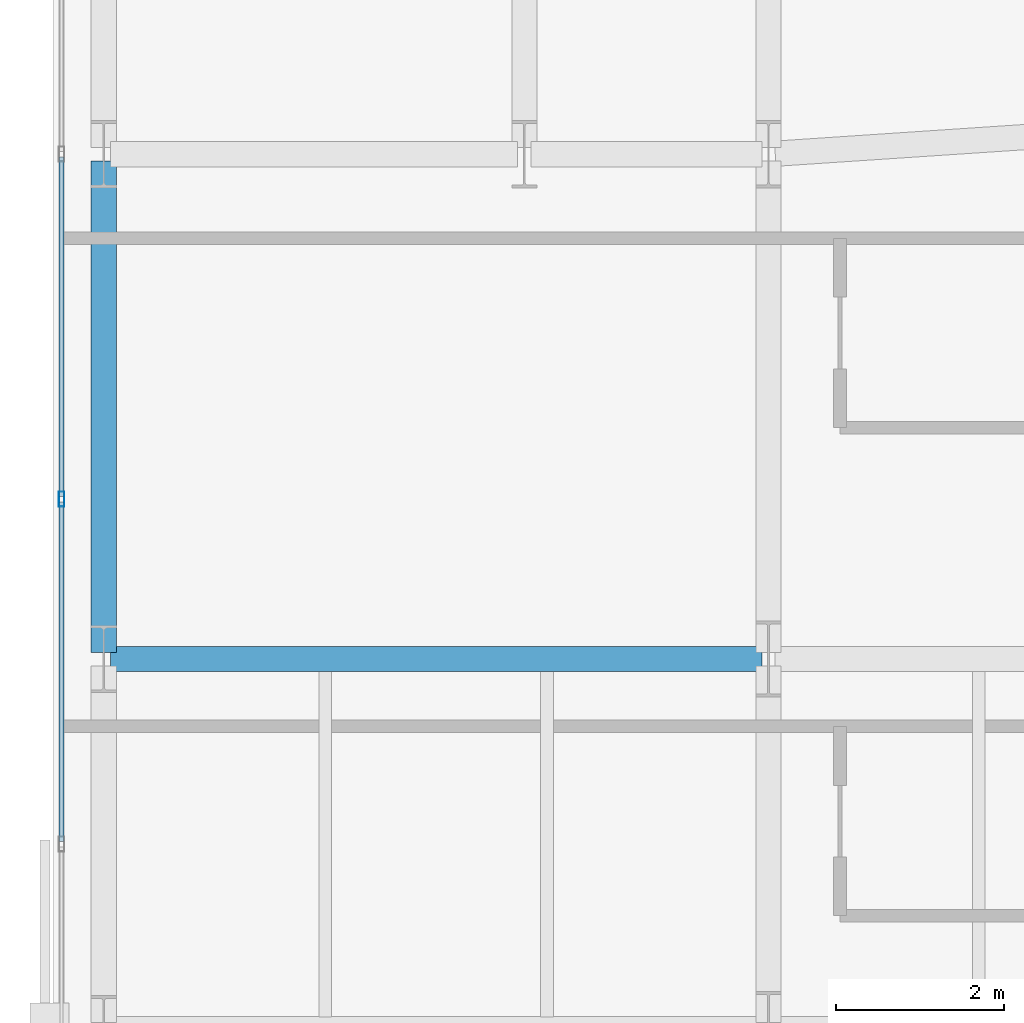
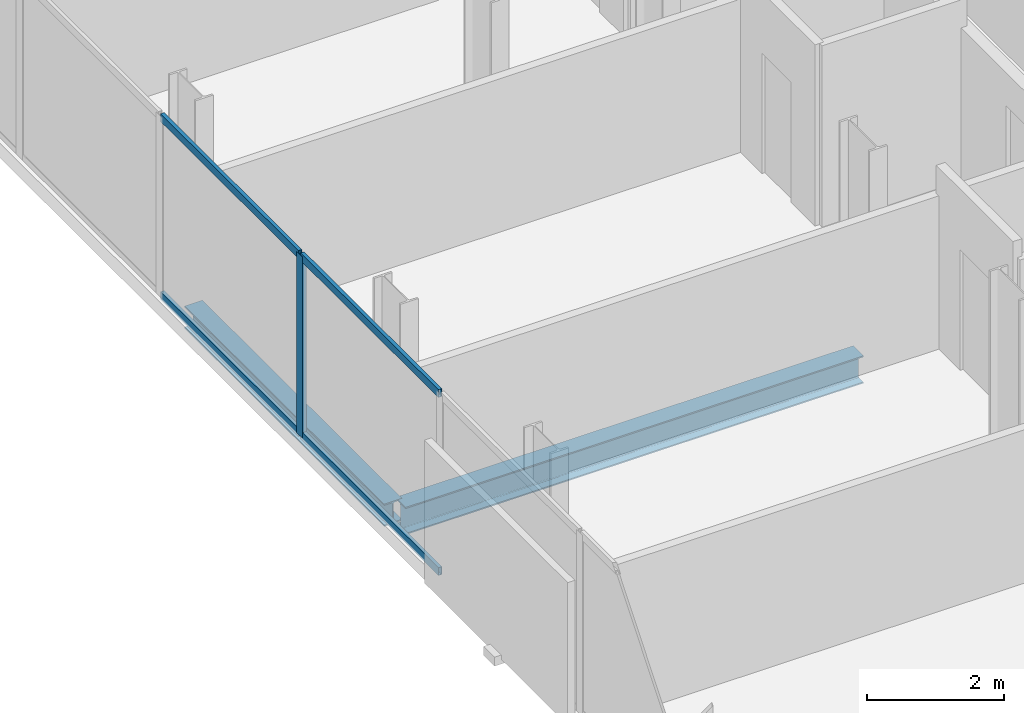
# One storey, part 9 of 33: 5 members, 2 beams, 1 element without a shape of its own.
"""IFC4 building model written with IfcOpenShell, lengths in metres."""

from ifc_helpers import new_model, si_unit, direction, frame, origin, origin_2d, place, context, subcontext, project, spatial, hollow_rectangle, i_section, extrude, material, layer, layer_set, material_profile, profile_set, type_object, element, aggregate, save


model = new_model("IFC4")

# Units and contexts
model_context = context("Model", 3, precision=1e-05, world=origin(), true_north=direction((0.0, 1.0)))
body_context = subcontext(model_context, "Body", "Model", "MODEL_VIEW")
ifc_project = project(units=[si_unit("LENGTHUNIT", "METRE"), si_unit("AREAUNIT", "SQUARE_METRE"), si_unit("VOLUMEUNIT", "CUBIC_METRE"), si_unit("PLANEANGLEUNIT", "RADIAN"), si_unit("MASSUNIT", "GRAM", prefix="KILO")], contexts=[model_context])

# Site, building, storey
site_placement = place(None, origin())
site = spatial("IfcSite", under=ifc_project, at=site_placement, CompositionType="ELEMENT")
building_placement = place(site_placement, origin())
building = spatial("IfcBuilding", under=site, at=building_placement, Name="Catumbela Crestline Tower", CompositionType="ELEMENT")
storey_placement = place(building_placement, frame((0.0, 0.0, 76.2)))
storey = spatial("IfcBuildingStorey", under=building, at=storey_placement, Name="L19", CompositionType="ELEMENT", Elevation=76.2)

# Beam
ifc_material_1 = material(Name="Structural steel S355J2", Category="steel")
ifc_material_profile_1 = material_profile(ifc_material_1, i_section(OverallWidth=0.3, OverallDepth=0.49, WebThickness=0.012, FlangeThickness=0.023, FilletRadius=0.027, at=origin_2d()), Name="HEA 500")
ifc_profile_set_1 = profile_set([ifc_material_profile_1], Name="Structural steel S355J2")
beam_type_1 = type_object("IfcBeamType", Name="BG-HEA500", PredefinedType="BEAM", material=ifc_profile_set_1)
beam_1_placement = place(storey_placement, frame((0.68, 18.0, -0.505), z_axis=(1.0, 0.0, 0.0), x_axis=(0.0, 1.0, 0.0)))
element("IfcBeam", 1, at=beam_1_placement, inside=storey, type_object=beam_type_1, Name="L19 Beam BM-L19-WEW54", PredefinedType="BEAM", context=body_context, shape_type="SweptSolid", body=[
    extrude(i_section(OverallWidth=0.3, OverallDepth=0.49, WebThickness=0.012, FlangeThickness=0.023, FilletRadius=0.027, at=origin_2d()), origin(), (0.0, 0.0, 1.0), 7.74),
])

# Curtain wall, member
ifc_material_2 = material(Name="Aluminium alloy AW-6060-T66", Category="aluminium")
ifc_layer = layer(ifc_material_2, 0.18, Name="Aluminium alloy AW-6060-T66")
ifc_layer_set = layer_set([ifc_layer], Name="Aluminium alloy AW-6060-T66")
curtain_wall_type = type_object("IfcCurtainWallType", Name="CWU-Z1", PredefinedType="USERDEFINED", material=ifc_layer_set)
curtain_wall_placement = place(storey_placement, origin())
curtain_wall = element("IfcCurtainWall", 2, at=curtain_wall_placement, inside=storey, type_object=curtain_wall_type, Name="L19 Unitised Curtain Wall CW-L19-E9S1", ObjectType="UNITISED", PredefinedType="USERDEFINED")
ifc_material_profile_2 = material_profile(ifc_material_2, hollow_rectangle(XDim=0.065, YDim=0.18, WallThickness=0.004, at=origin_2d()), Name="ALU 180x65x4")
ifc_profile_set_2 = profile_set([ifc_material_profile_2], Name="Aluminium alloy AW-6060-T66")
member_type_1 = type_object("IfcMemberType", Name="MUL-180X65", PredefinedType="MULLION", material=ifc_profile_set_2)
member_1_placement = place(storey_placement, frame((0.1, 19.9, 0.0), z_axis=(0.0, 0.0, 1.0), x_axis=(1.0, 0.0, 0.0)))
member_1 = element("IfcMember", 3, at=member_1_placement, type_object=member_type_1, Name="CWU-Z1 mullion 7", PredefinedType="MULLION", context=body_context, shape_type="SweptSolid", body=[
    extrude(hollow_rectangle(XDim=0.065, YDim=0.18, WallThickness=0.004, at=origin_2d()), origin(), (0.0, 0.0, 1.0), 3.24),
])

# Beam
ifc_material_profile_3 = material_profile(ifc_material_1, i_section(OverallWidth=0.3, OverallDepth=0.4, WebThickness=0.0135, FlangeThickness=0.024, FilletRadius=0.027, at=origin_2d()), Name="HEB 400")
ifc_profile_set_3 = profile_set([ifc_material_profile_3], Name="Structural steel S355J2")
beam_type_2 = type_object("IfcBeamType", Name="BS-HEB400", PredefinedType="SPANDREL", material=ifc_profile_set_3)
beam_2_placement = place(storey_placement, frame((0.6, 18.08, -0.46), z_axis=(0.0, 1.0, 0.0), x_axis=(-1.0, 0.0, 0.0)))
element("IfcBeam", 4, at=beam_2_placement, inside=storey, type_object=beam_type_2, Name="L19 Spandrel SP-L19-WNS60", PredefinedType="SPANDREL", context=body_context, shape_type="SweptSolid", body=[
    extrude(i_section(OverallWidth=0.3, OverallDepth=0.4, WebThickness=0.0135, FlangeThickness=0.024, FilletRadius=0.027, at=origin_2d()), origin(), (0.0, 0.0, 1.0), 5.84),
])

# Member
ifc_material_profile_4 = material_profile(ifc_material_2, hollow_rectangle(XDim=0.06, YDim=0.14, WallThickness=0.004, at=origin_2d()), Name="ALU 140x60x4")
ifc_profile_set_4 = profile_set([ifc_material_profile_4], Name="Aluminium alloy AW-6060-T66")
member_type_2 = type_object("IfcMemberType", Name="TRN-140X60", PredefinedType="USERDEFINED", material=ifc_profile_set_4)
member_2_placement = place(storey_placement, frame((0.1, 23.9675, 0.03), z_axis=(0.0, -1.0, 0.0), x_axis=(1.0, 0.0, 0.0)))
member_2 = element("IfcMember", 5, at=member_2_placement, type_object=member_type_2, Name="CWU-Z1 transom 6.1", ObjectType="TRANSOM", PredefinedType="USERDEFINED", context=body_context, shape_type="SweptSolid", body=[
    extrude(hollow_rectangle(XDim=0.06, YDim=0.14, WallThickness=0.004, at=origin_2d()), origin(), (0.0, 0.0, 1.0), 4.035),
])

member_3_placement = place(storey_placement, frame((0.1, 23.9675, 3.21), z_axis=(0.0, -1.0, 0.0), x_axis=(1.0, 0.0, 0.0)))
member_3 = element("IfcMember", 6, at=member_3_placement, type_object=member_type_2, Name="CWU-Z1 transom 6.2", ObjectType="TRANSOM", PredefinedType="USERDEFINED", context=body_context, shape_type="SweptSolid", body=[
    extrude(hollow_rectangle(XDim=0.06, YDim=0.14, WallThickness=0.004, at=origin_2d()), origin(), (0.0, 0.0, 1.0), 4.035),
])

member_4_placement = place(storey_placement, frame((0.1, 19.8675, 0.03), z_axis=(0.0, -1.0, 0.0), x_axis=(1.0, 0.0, 0.0)))
member_4 = element("IfcMember", 7, at=member_4_placement, type_object=member_type_2, Name="CWU-Z1 transom 7.1", ObjectType="TRANSOM", PredefinedType="USERDEFINED", context=body_context, shape_type="SweptSolid", body=[
    extrude(hollow_rectangle(XDim=0.06, YDim=0.14, WallThickness=0.004, at=origin_2d()), origin(), (0.0, 0.0, 1.0), 4.035),
])

member_5_placement = place(storey_placement, frame((0.1, 19.8675, 3.21), z_axis=(0.0, -1.0, 0.0), x_axis=(1.0, 0.0, 0.0)))
member_5 = element("IfcMember", 8, at=member_5_placement, type_object=member_type_2, Name="CWU-Z1 transom 7.2", ObjectType="TRANSOM", PredefinedType="USERDEFINED", context=body_context, shape_type="SweptSolid", body=[
    extrude(hollow_rectangle(XDim=0.06, YDim=0.14, WallThickness=0.004, at=origin_2d()), origin(), (0.0, 0.0, 1.0), 4.035),
])

aggregate(curtain_wall, [member_1, member_2, member_3, member_4, member_5])

save(model, "model.ifc")
